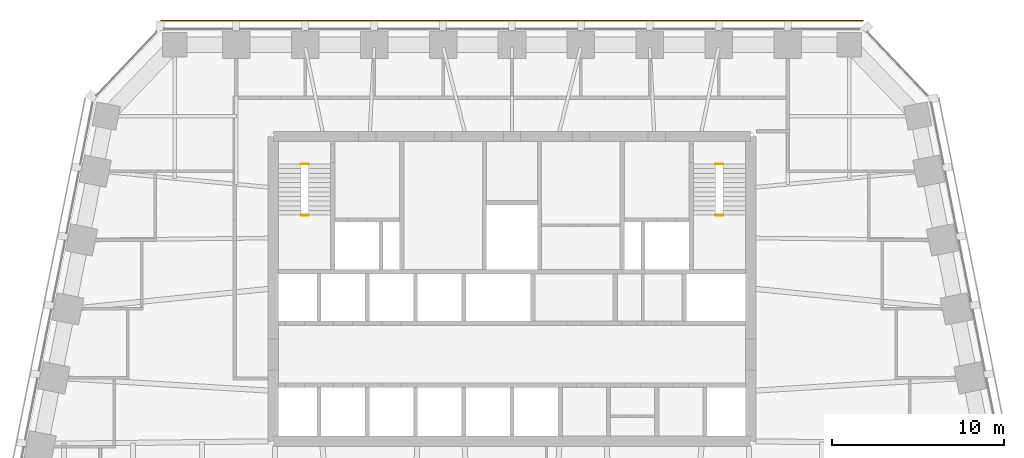
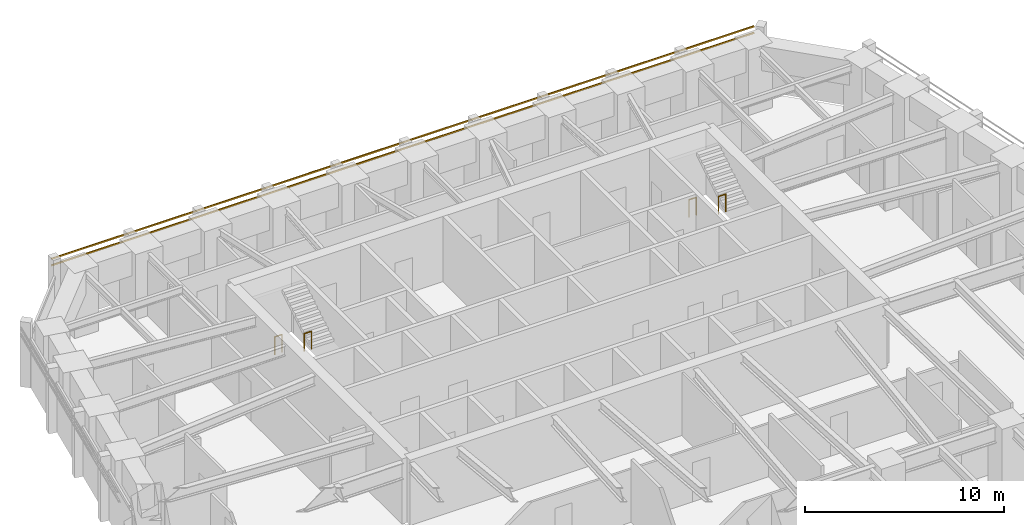
# One storey, part 11 of 11: 4 railings, 2 shading devices.
"""IFC4 building model written with IfcOpenShell, lengths in metres."""

from ifc_helpers import new_model, si_unit, direction, frame, origin, origin_2d, place, context, subcontext, project, spatial, rectangle, circle, extrude, material, material_profile, profile_set, type_object, element, save


model = new_model("IFC4")

# Units and contexts
model_context = context("Model", 3, precision=1e-05, world=origin(), true_north=direction((0.0, 1.0)))
body_context = subcontext(model_context, "Body", "Model", "MODEL_VIEW")
ifc_project = project(units=[si_unit("LENGTHUNIT", "METRE"), si_unit("AREAUNIT", "SQUARE_METRE"), si_unit("VOLUMEUNIT", "CUBIC_METRE"), si_unit("PLANEANGLEUNIT", "RADIAN"), si_unit("MASSUNIT", "GRAM", prefix="KILO")], contexts=[model_context])

# Site, building, storey
site_placement = place(None, origin())
site = spatial("IfcSite", under=ifc_project, at=site_placement, CompositionType="ELEMENT")
building_placement = place(site_placement, origin())
building = spatial("IfcBuilding", under=site, at=building_placement, Name="Isbrekke Arena Tower", CompositionType="ELEMENT")
storey_placement = place(building_placement, frame((0.0, 0.0, 202.0)))
storey = spatial("IfcBuildingStorey", under=building, at=storey_placement, Name="L46", CompositionType="ELEMENT", Elevation=202.0)

# Shading devices
ifc_material_1 = material(Name="Terracotta", Category="masonry")
ifc_material_profile = material_profile(ifc_material_1, rectangle(XDim=0.06005859375, YDim=0.06005859375, at=origin_2d()), Name="BAGUETTE 60X60")
ifc_profile_set = profile_set([ifc_material_profile], Name="Terracotta")
shading_device_type = type_object("IfcShadingDeviceType", Name="BG1 TERRACOTTA BAGUETTE 60 x 60", PredefinedType="USERDEFINED", material=ifc_profile_set)
for number, where, z_axis, x_axis, name in (
    (1, (20.39990234375, 30.580078125, 3.280029296875), (-1.0, 0.0, 0.0), (0.0, -1.0, 0.0), "BG1 terracotta baguette N1 L46"),
    (2, (20.39990234375, 30.580078125, 3.679931640625), (-1.0, 0.0, 0.0), (0.0, -1.0, 0.0), "BG1 terracotta baguette N2 L46"),
):
    element("IfcShadingDevice", number, at=place(storey_placement, frame(where, z_axis=z_axis, x_axis=x_axis)), inside=storey, type_object=shading_device_type, Name=name, ObjectType="TERRACOTTA BAGUETTE", PredefinedType="USERDEFINED", context=body_context, shape_type="SweptSolid", body=[
        extrude(rectangle(XDim=0.06005859375, YDim=0.06005859375, at=origin_2d()), origin(), (0.0, 0.0, 1.0), 40.7998046875),
    ])

# Railings
ifc_material_2 = material(Name="Steel stair guard, vertical bars, steel handrail", Category="steel")
railing_type = type_object("IfcRailingType", Name="GR3 STAIR WELL GUARD 1100", PredefinedType="GUARDRAIL", material=ifc_material_2)
for number, where, name in (
    (3, (-12.25, 22.25, 0.0), "GR3 stair well guard ST1 L46"),
    (4, (-12.25, 19.280029296875, 2.0), "GR3 stair well guard ST1 L46"),
    (5, (11.824951171875, 22.25, 0.0), "GR3 stair well guard ST2 L46"),
    (6, (11.824951171875, 19.280029296875, 2.0), "GR3 stair well guard ST2 L46"),
):
    element("IfcRailing", number, at=place(storey_placement, frame(where)), inside=storey, type_object=railing_type, Name=name, PredefinedType="GUARDRAIL", context=body_context, shape_type="SweptSolid", body=[
        extrude(circle(Radius=0.02392578125, at=origin_2d()), frame((0.0, 0.0, 1.076171875), z_axis=(1.0, 0.0, 0.0), x_axis=(0.0, 1.0, 0.0)), (0.0, 0.0, 1.0), 0.425048828125),
        extrude(circle(Radius=0.02099609375, at=origin_2d()), origin(), (0.0, 0.0, 1.0), 1.052001953125),
        extrude(circle(Radius=0.02099609375, at=origin_2d()), frame((0.425048828125, 0.0, 0.0)), (0.0, 0.0, 1.0), 1.052001953125),
    ])

save(model, "model.ifc")
